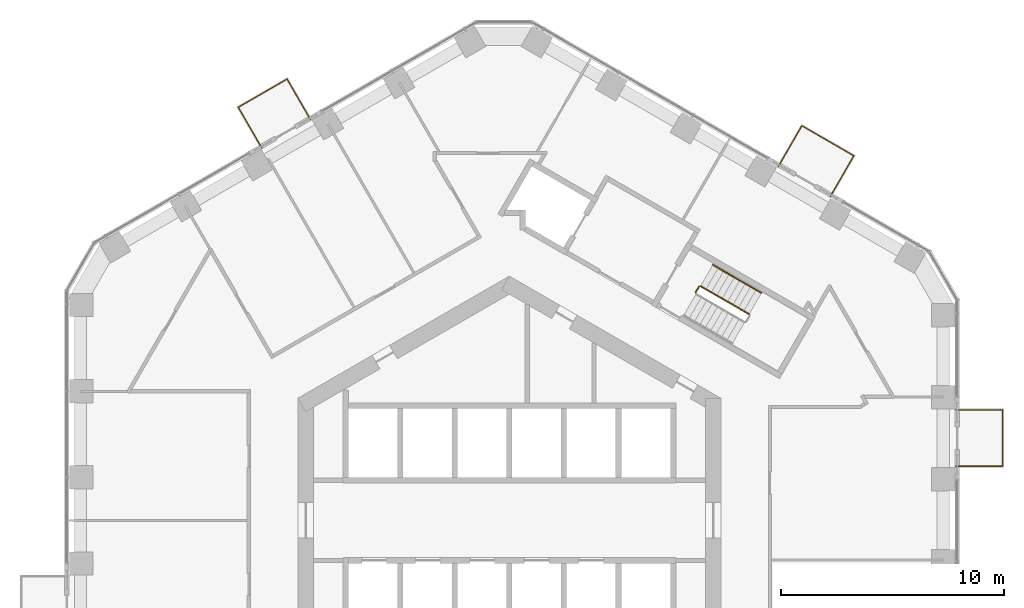
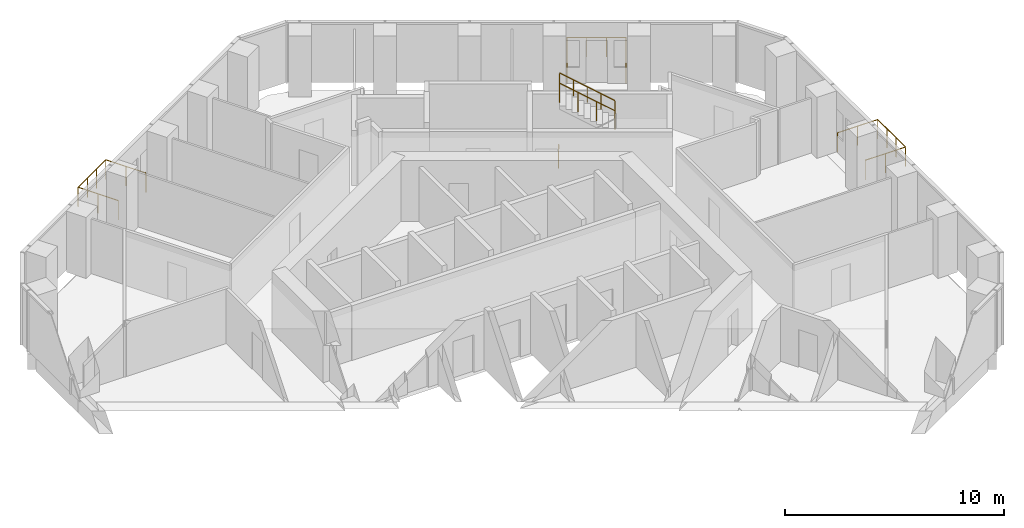
# One storey, part 20 of 20: 7 railings.
"""IFC4 building model written with IfcOpenShell, lengths in metres."""

from ifc_helpers import new_model, si_unit, direction, frame, origin, origin_2d, place, context, subcontext, project, spatial, circle, extrude, material, type_object, element, save


model = new_model("IFC4")

# Units and contexts
model_context = context("Model", 3, precision=1e-05, world=origin(), true_north=direction((0.0, 1.0)))
body_context = subcontext(model_context, "Body", "Model", "MODEL_VIEW")
ifc_project = project(units=[si_unit("LENGTHUNIT", "METRE"), si_unit("AREAUNIT", "SQUARE_METRE"), si_unit("VOLUMEUNIT", "CUBIC_METRE"), si_unit("PLANEANGLEUNIT", "RADIAN"), si_unit("MASSUNIT", "GRAM", prefix="KILO")], contexts=[model_context])

# Site, building, storey
site_placement = place(None, origin())
site = spatial("IfcSite", under=ifc_project, at=site_placement, CompositionType="ELEMENT")
building_placement = place(site_placement, origin())
building = spatial("IfcBuilding", under=site, at=building_placement, Name="Ayvan Gate Tower", CompositionType="ELEMENT")
storey_placement = place(building_placement, frame((0.0, 0.0, 96.699951171875)))
storey = spatial("IfcBuildingStorey", under=building, at=storey_placement, Name="L25", CompositionType="ELEMENT", Elevation=96.699951171875)

# Railings
ifc_material_1 = material(Name="Stainless steel 316 and laminated glass", Category="steel")
railing_type_1 = type_object("IfcRailingType", Name="Balcony balustrade 1100", PredefinedType="BALUSTRADE", material=ifc_material_1)
railing_1_placement = place(storey_placement, frame((-8.92333984375, 17.983154296875, 0.0)))
element("IfcRailing", 1, at=railing_1_placement, inside=storey, type_object=railing_type_1, Name="Balcony balustrade BAL-L25-2", PredefinedType="BALUSTRADE", context=body_context, shape_type="SweptSolid", body=[
    extrude(circle(Radius=0.02490234375, at=origin_2d()), frame((0.0, 0.0, 1.0751953125), z_axis=(-0.500012199891, 0.86601836006, 0.0), x_axis=(-0.86601836006, -0.500012199891, 0.0)), (0.0, 0.0, 1.0), 2.115234375),
    extrude(circle(Radius=0.02490234375, at=origin_2d()), frame((-1.0576171875, 1.831787109375, 1.0751953125), z_axis=(-0.865981279541, -0.500076417645, 0.0), x_axis=(0.500076417645, -0.865981279541, 0.0)), (0.0, 0.0, 1.0), 2.52734375),
    extrude(circle(Radius=0.02490234375, at=origin_2d()), frame((-3.246337890625, 0.56787109375, 1.0751953125), z_axis=(0.499975608288, -0.866039485888, 0.0), x_axis=(0.866039485888, 0.499975608288, 0.0)), (0.0, 0.0, 1.0), 2.11474609375),
    extrude(circle(Radius=0.02001953125, at=origin_2d()), origin(), (0.0, 0.0, 1.0), 1.050048828125),
    extrude(circle(Radius=0.02001953125, at=origin_2d()), frame((-0.52880859375, 0.916015625, 0.0)), (0.0, 0.0, 1.0), 1.050048828125),
    extrude(circle(Radius=0.02001953125, at=origin_2d()), frame((-1.0576171875, 1.831787109375, 0.0)), (0.0, 0.0, 1.0), 1.050048828125),
    extrude(circle(Radius=0.02001953125, at=origin_2d()), frame((-1.787109375, 1.410400390625, 0.0)), (0.0, 0.0, 1.0), 1.050048828125),
    extrude(circle(Radius=0.02001953125, at=origin_2d()), frame((-2.516845703125, 0.9892578125, 0.0)), (0.0, 0.0, 1.0), 1.050048828125),
    extrude(circle(Radius=0.02001953125, at=origin_2d()), frame((-3.246337890625, 0.56787109375, 0.0)), (0.0, 0.0, 1.0), 1.050048828125),
    extrude(circle(Radius=0.02001953125, at=origin_2d()), frame((-2.7177734375, -0.347900390625, 0.0)), (0.0, 0.0, 1.0), 1.050048828125),
    extrude(circle(Radius=0.02001953125, at=origin_2d()), frame((-2.18896484375, -1.263671875, 0.0)), (0.0, 0.0, 1.0), 1.050048828125),
])
railing_2_placement = place(storey_placement, frame((20.03564453125, 2.433837890625, 0.0)))
element("IfcRailing", 2, at=railing_2_placement, inside=storey, type_object=railing_type_1, Name="Balcony balustrade BAL-L25-0", PredefinedType="BALUSTRADE", context=body_context, shape_type="SweptSolid", body=[
    extrude(circle(Radius=0.02490234375, at=origin_2d()), frame((0.0, 0.0, 1.0751953125), z_axis=(1.0, 0.0, 0.0), x_axis=(0.0, 1.0, 0.0)), (0.0, 0.0, 1.0), 2.114990234375),
    extrude(circle(Radius=0.02490234375, at=origin_2d()), frame((2.114990234375, 0.0, 1.0751953125), z_axis=(0.0, 1.0, 0.0), x_axis=(-1.0, 0.0, 0.0)), (0.0, 0.0, 1.0), 2.52734375),
    extrude(circle(Radius=0.02490234375, at=origin_2d()), frame((2.114990234375, 2.52734375, 1.0751953125), z_axis=(-1.0, 0.0, 0.0), x_axis=(0.0, -1.0, 0.0)), (0.0, 0.0, 1.0), 2.114990234375),
    extrude(circle(Radius=0.02001953125, at=origin_2d()), origin(), (0.0, 0.0, 1.0), 1.050048828125),
    extrude(circle(Radius=0.02001953125, at=origin_2d()), frame((1.0576171875, 0.0, 0.0)), (0.0, 0.0, 1.0), 1.050048828125),
    extrude(circle(Radius=0.02001953125, at=origin_2d()), frame((2.114990234375, 0.0, 0.0)), (0.0, 0.0, 1.0), 1.050048828125),
    extrude(circle(Radius=0.02001953125, at=origin_2d()), frame((2.114990234375, 0.842529296875, 0.0)), (0.0, 0.0, 1.0), 1.050048828125),
    extrude(circle(Radius=0.02001953125, at=origin_2d()), frame((2.114990234375, 1.684814453125, 0.0)), (0.0, 0.0, 1.0), 1.050048828125),
    extrude(circle(Radius=0.02001953125, at=origin_2d()), frame((2.114990234375, 2.52734375, 0.0)), (0.0, 0.0, 1.0), 1.050048828125),
    extrude(circle(Radius=0.02001953125, at=origin_2d()), frame((1.0576171875, 2.52734375, 0.0)), (0.0, 0.0, 1.0), 1.050048828125),
    extrude(circle(Radius=0.02001953125, at=origin_2d()), frame((0.0, 2.52734375, 0.0)), (0.0, 0.0, 1.0), 1.050048828125),
])
railing_3_placement = place(storey_placement, frame((14.409423828125, 14.541748046875, 0.0)))
element("IfcRailing", 3, at=railing_3_placement, inside=storey, type_object=railing_type_1, Name="Balcony balustrade BAL-L25-1", PredefinedType="BALUSTRADE", context=body_context, shape_type="SweptSolid", body=[
    extrude(circle(Radius=0.02490234375, at=origin_2d()), frame((0.0, 0.0, 1.0751953125), z_axis=(0.499975608288, 0.866039485888, 0.0), x_axis=(-0.866039485888, 0.499975608288, 0.0)), (0.0, 0.0, 1.0), 2.11474609375),
    extrude(circle(Radius=0.02490234375, at=origin_2d()), frame((1.057373046875, 1.83154296875, 1.0751953125), z_axis=(-0.866030026789, 0.499991992636, 0.0), x_axis=(-0.499991992636, -0.866030026789, 0.0)), (0.0, 0.0, 1.0), 2.69189453125),
    extrude(circle(Radius=0.02490234375, at=origin_2d()), frame((-1.27392578125, 3.177490234375, 1.0751953125), z_axis=(-0.499975608288, -0.866039485888, 0.0), x_axis=(0.866039485888, -0.499975608288, 0.0)), (0.0, 0.0, 1.0), 2.11474609375),
    extrude(circle(Radius=0.02001953125, at=origin_2d()), origin(), (0.0, 0.0, 1.0), 1.050048828125),
    extrude(circle(Radius=0.02001953125, at=origin_2d()), frame((0.52880859375, 0.915771484375, 0.0)), (0.0, 0.0, 1.0), 1.050048828125),
    extrude(circle(Radius=0.02001953125, at=origin_2d()), frame((1.057373046875, 1.83154296875, 0.0)), (0.0, 0.0, 1.0), 1.050048828125),
    extrude(circle(Radius=0.02001953125, at=origin_2d()), frame((0.2802734375, 2.2802734375, 0.0)), (0.0, 0.0, 1.0), 1.050048828125),
    extrude(circle(Radius=0.02001953125, at=origin_2d()), frame((-0.496826171875, 2.728759765625, 0.0)), (0.0, 0.0, 1.0), 1.050048828125),
    extrude(circle(Radius=0.02001953125, at=origin_2d()), frame((-1.27392578125, 3.177490234375, 0.0)), (0.0, 0.0, 1.0), 1.050048828125),
    extrude(circle(Radius=0.02001953125, at=origin_2d()), frame((-1.802734375, 2.26171875, 0.0)), (0.0, 0.0, 1.0), 1.050048828125),
    extrude(circle(Radius=0.02001953125, at=origin_2d()), frame((-2.331298828125, 1.345947265625, 0.0)), (0.0, 0.0, 1.0), 1.050048828125),
])
ifc_material_2 = material(Name="Stainless steel balustrade", Category="steel")
railing_type_2 = type_object("IfcRailingType", Name="RL-GUARD-1100", PredefinedType="GUARDRAIL", material=ifc_material_2)
railing_4_placement = place(storey_placement, frame((10.7685546875, 9.261474609375, 1.8701171875)))
element("IfcRailing", 4, at=railing_4_placement, inside=storey, type_object=railing_type_2, Name="L25 STS1 stair guard 3", PredefinedType="GUARDRAIL", context=body_context, shape_type="SweptSolid", body=[
    extrude(circle(Radius=0.02392578125, at=origin_2d()), frame((0.0, 0.0, 1.076171875), z_axis=(-0.740261155115, 0.427395438142, 0.518986090067), x_axis=(-0.500004791531, -0.866022637375, 0.0)), (0.0, 0.0, 1.0), 2.947998046875),
    extrude(circle(Radius=0.02099609375, at=origin_2d()), origin(), (0.0, 0.0, 1.0), 1.052001953125),
    extrude(circle(Radius=0.02099609375, at=origin_2d()), frame((-0.7275390625, 0.419921875, 0.510009765625)), (0.0, 0.0, 1.0), 1.052001953125),
    extrude(circle(Radius=0.02099609375, at=origin_2d()), frame((-1.454833984375, 0.840087890625, 1.02001953125)), (0.0, 0.0, 1.0), 1.052001953125),
    extrude(circle(Radius=0.02099609375, at=origin_2d()), frame((-2.182373046875, 1.260009765625, 1.530029296875)), (0.0, 0.0, 1.0), 1.052001953125),
])
railing_5_placement = place(storey_placement, frame((8.36279296875, 10.23486328125, 0.0)))
element("IfcRailing", 5, at=railing_5_placement, inside=storey, type_object=railing_type_2, Name="L25 STS1 stair guard 4", PredefinedType="GUARDRAIL", context=body_context, shape_type="SweptSolid", body=[
    extrude(circle(Radius=0.02392578125, at=origin_2d()), frame((0.0, 0.0, 1.076171875), z_axis=(0.500290723946, 0.86585748916, 0.0), x_axis=(-0.86585748916, 0.500290723946, 0.0)), (0.0, 0.0, 1.0), 0.309814453125),
    extrude(circle(Radius=0.02099609375, at=origin_2d()), origin(), (0.0, 0.0, 1.0), 1.052001953125),
    extrude(circle(Radius=0.02099609375, at=origin_2d()), frame((0.155029296875, 0.268310546875, 0.0)), (0.0, 0.0, 1.0), 1.052001953125),
])
railing_type_3 = type_object("IfcRailingType", Name="RL-HANDRAIL-900", PredefinedType="HANDRAIL", material=ifc_material_2)
railing_6_placement = place(storey_placement, frame((11.318603515625, 10.214111328125, 1.8701171875)))
element("IfcRailing", 6, at=railing_6_placement, inside=storey, type_object=railing_type_3, Name="L25 STS1 stair handrail 3", PredefinedType="HANDRAIL", context=body_context, shape_type="SweptSolid", body=[
    extrude(circle(Radius=0.02392578125, at=origin_2d()), frame((0.0, 0.0, 0.8759765625), z_axis=(-0.740304193401, 0.427455284825, 0.518875399983), x_axis=(-0.500035496587, -0.86600490885, 0.0)), (0.0, 0.0, 1.0), 1.47412109375),
    extrude(circle(Radius=0.02099609375, at=origin_2d()), origin(), (0.0, 0.0, 1.0), 0.851806640625),
    extrude(circle(Radius=0.02099609375, at=origin_2d()), frame((-0.545654296875, 0.31494140625, 0.38232421875)), (0.0, 0.0, 1.0), 0.851806640625),
    extrude(circle(Radius=0.02099609375, at=origin_2d()), frame((-1.09130859375, 0.630126953125, 0.764892578125)), (0.0, 0.0, 1.0), 0.851806640625),
])
railing_7_placement = place(storey_placement, frame((10.227294921875, 10.84423828125, 2.635009765625)))
element("IfcRailing", 7, at=railing_7_placement, inside=storey, type_object=railing_type_3, Name="L25 STS1 stair handrail 4", PredefinedType="HANDRAIL", context=body_context, shape_type="SweptSolid", body=[
    extrude(circle(Radius=0.02392578125, at=origin_2d()), frame((0.0, 0.0, 0.8759765625), z_axis=(-0.740292964666, 0.42728318766, 0.519033143459), x_axis=(-0.499890179513, -0.866088799389, 0.0)), (0.0, 0.0, 1.0), 1.47412109375),
    extrude(circle(Radius=0.02099609375, at=origin_2d()), origin(), (0.0, 0.0, 1.0), 0.851806640625),
    extrude(circle(Radius=0.02099609375, at=origin_2d()), frame((-0.545654296875, 0.31494140625, 0.382568359375)), (0.0, 0.0, 1.0), 0.851806640625),
    extrude(circle(Radius=0.02099609375, at=origin_2d()), frame((-1.09130859375, 0.6298828125, 0.76513671875)), (0.0, 0.0, 1.0), 0.851806640625),
])

save(model, "model.ifc")
